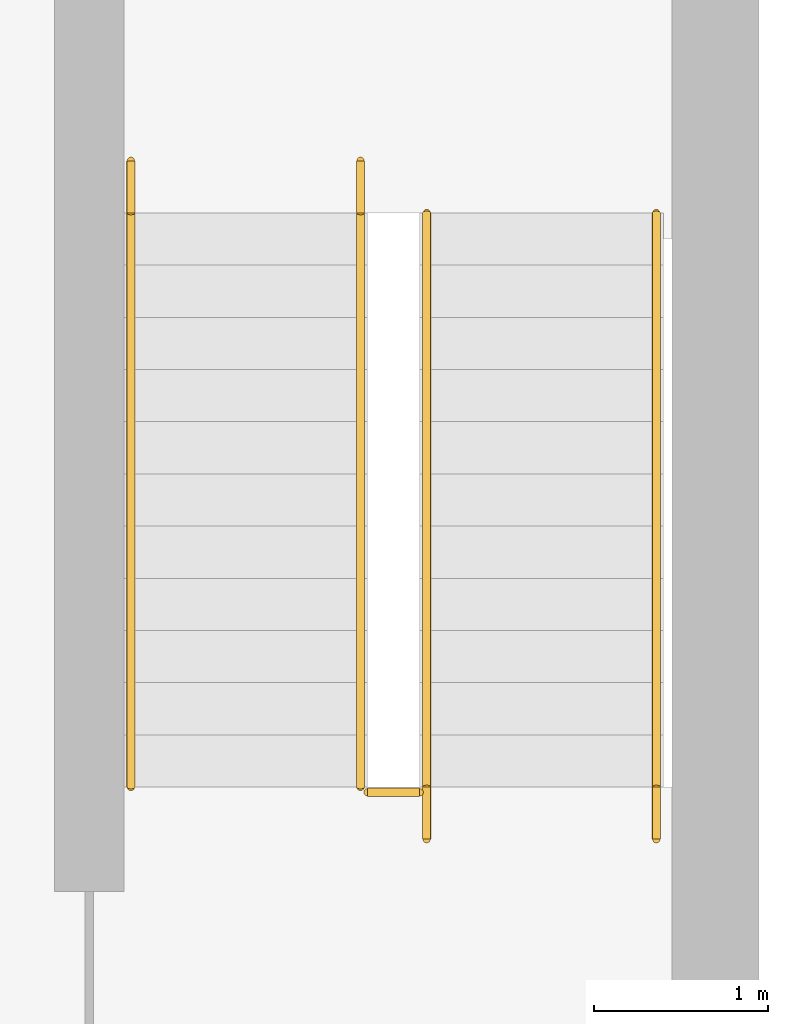
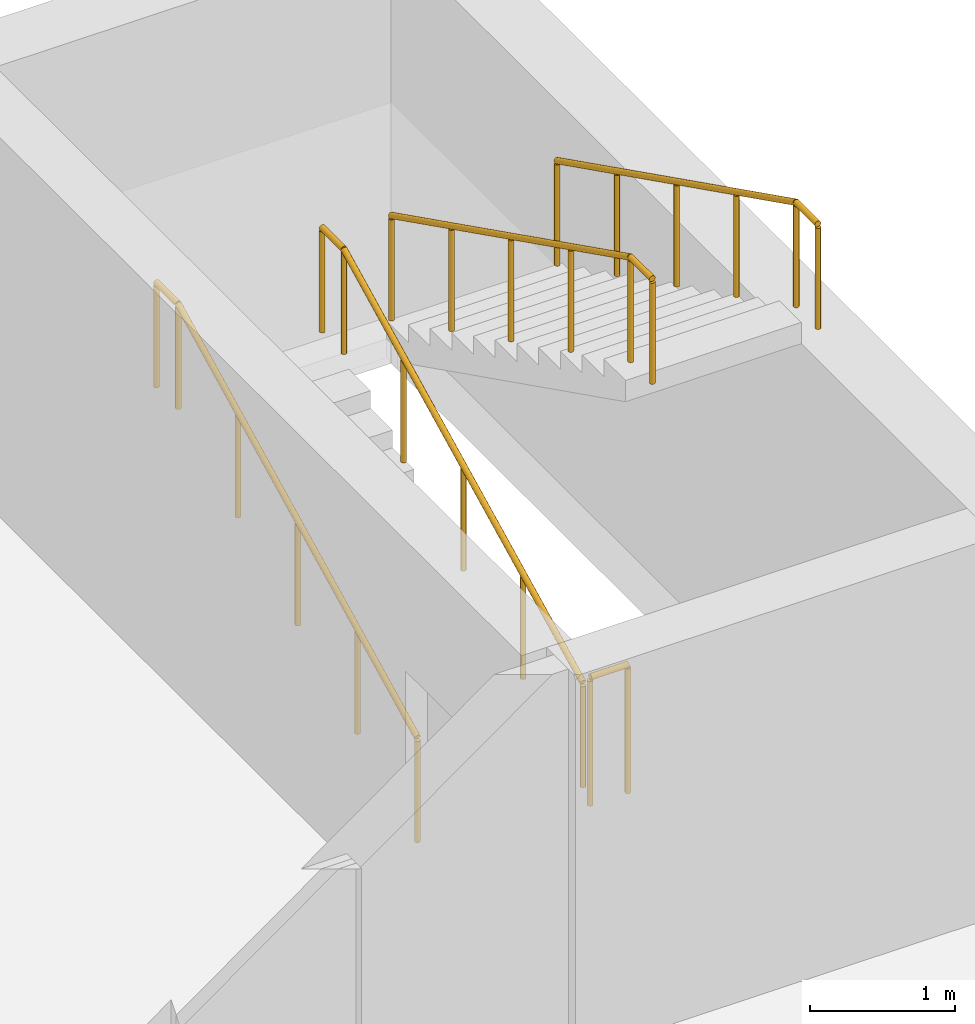
# One storey, part 12 of 12: 5 railings.
"""IFC4 building model written with IfcOpenShell, lengths in metres."""

from ifc_helpers import new_model, si_unit, direction, frame, origin, origin_2d, place, context, subcontext, project, spatial, circle, extrude, material, type_object, element, save


model = new_model("IFC4")

# Units and contexts
model_context = context("Model", 3, precision=1e-05, world=origin(), true_north=direction((0.0, 1.0)))
body_context = subcontext(model_context, "Body", "Model", "MODEL_VIEW")
ifc_project = project(units=[si_unit("LENGTHUNIT", "METRE"), si_unit("AREAUNIT", "SQUARE_METRE"), si_unit("VOLUMEUNIT", "CUBIC_METRE"), si_unit("PLANEANGLEUNIT", "RADIAN"), si_unit("MASSUNIT", "GRAM", prefix="KILO")], contexts=[model_context])

# Site, building, storey
site_placement = place(None, origin())
site = spatial("IfcSite", under=ifc_project, at=site_placement, CompositionType="ELEMENT")
building_placement = place(site_placement, origin())
building = spatial("IfcBuilding", under=site, at=building_placement, Name="Yavir Park General Hospital", CompositionType="ELEMENT")
storey_placement = place(building_placement, frame((0.0, 0.0, -11.39990234375)))
storey = spatial("IfcBuildingStorey", under=building, at=storey_placement, Name="B3", CompositionType="ELEMENT", Elevation=-11.39990234375)

# Railings
ifc_material_1 = material(Name="Steel balustrade with infill rods", Category="steel")
railing_type_1 = type_object("IfcRailingType", Name="Stair guard, steel balustrade 1100 mm", PredefinedType="GUARDRAIL", material=ifc_material_1)
railing_placement = place(storey_placement, frame((166.0, 27.570068359375, 0.0)))
element("IfcRailing", 1, at=railing_placement, inside=storey, type_object=railing_type_1, Name="Stair well guard BS5 B3", PredefinedType="GUARDRAIL", context=body_context, shape_type="SweptSolid", body=[
    extrude(circle(Radius=0.02392578125, at=origin_2d()), frame((0.0, 0.0, 1.076171875), z_axis=(1.0, 0.0, 0.0), x_axis=(0.0, 1.0, 0.0)), (0.0, 0.0, 1.0), 0.300048828125),
    extrude(circle(Radius=0.02099609375, at=origin_2d()), origin(), (0.0, 0.0, 1.0), 1.052001953125),
    extrude(circle(Radius=0.02099609375, at=origin_2d()), frame((0.300048828125, 0.0, 0.0)), (0.0, 0.0, 1.0), 1.052001953125),
])
ifc_material_2 = material(Name="Stainless steel tube 48 mm", Category="steel")
railing_type_2 = type_object("IfcRailingType", Name="Stair handrail, steel tube, 900 mm above the nosings", PredefinedType="HANDRAIL", material=ifc_material_2)
for number, where, name in (
    (2, (164.639892578125, 27.60009765625, 0.14990234375), "Handrail BS5 B3 1"),
    (3, (165.9599609375, 27.60009765625, 0.14990234375), "Handrail BS5 B3 2"),
):
    element("IfcRailing", number, at=place(storey_placement, frame(where)), inside=storey, type_object=railing_type_2, Name=name, PredefinedType="HANDRAIL", context=body_context, shape_type="SweptSolid", body=[
        extrude(circle(Radius=0.02392578125, at=origin_2d()), frame((0.0, 0.0, 0.8759765625), z_axis=(0.0, 0.894427191, 0.4472135955), x_axis=(-1.0, 0.0, 0.0)), (0.0, 0.0, 1.0), 3.689208984375),
        extrude(circle(Radius=0.02392578125, at=origin_2d()), frame((0.0, 3.2998046875, 2.52587890625), z_axis=(0.0, 1.0, 0.0), x_axis=(-1.0, 0.0, 0.0)), (0.0, 0.0, 1.0), 0.300048828125),
        extrude(circle(Radius=0.02099609375, at=origin_2d()), origin(), (0.0, 0.0, 1.0), 0.851806640625),
        extrude(circle(Radius=0.02099609375, at=origin_2d()), frame((0.0, 0.824951171875, 0.41259765625)), (0.0, 0.0, 1.0), 0.851806640625),
        extrude(circle(Radius=0.02099609375, at=origin_2d()), frame((0.0, 1.64990234375, 0.824951171875)), (0.0, 0.0, 1.0), 0.851806640625),
        extrude(circle(Radius=0.02099609375, at=origin_2d()), frame((0.0, 2.474853515625, 1.2373046875)), (0.0, 0.0, 1.0), 0.851806640625),
        extrude(circle(Radius=0.02099609375, at=origin_2d()), frame((0.0, 3.2998046875, 1.64990234375)), (0.0, 0.0, 1.0), 0.851806640625),
        extrude(circle(Radius=0.02099609375, at=origin_2d()), frame((0.0, 3.599853515625, 1.64990234375)), (0.0, 0.0, 1.0), 0.851806640625),
    ])
for number, where, name in (
    (4, (167.659912109375, 30.89990234375, 1.949951171875), "Handrail BS5 B3 3"),
    (5, (166.340087890625, 30.89990234375, 1.949951171875), "Handrail BS5 B3 4"),
):
    element("IfcRailing", number, at=place(storey_placement, frame(where)), inside=storey, type_object=railing_type_2, Name=name, PredefinedType="HANDRAIL", context=body_context, shape_type="SweptSolid", body=[
        extrude(circle(Radius=0.02392578125, at=origin_2d()), frame((0.0, 0.0, 0.8759765625), z_axis=(0.0, -0.894427191, 0.4472135955), x_axis=(1.0, 0.0, 0.0)), (0.0, 0.0, 1.0), 3.689208984375),
        extrude(circle(Radius=0.02392578125, at=origin_2d()), frame((0.0, -3.2998046875, 2.52587890625), z_axis=(0.0, -1.0, 0.0), x_axis=(1.0, 0.0, 0.0)), (0.0, 0.0, 1.0), 0.300048828125),
        extrude(circle(Radius=0.02099609375, at=origin_2d()), origin(), (0.0, 0.0, 1.0), 0.851806640625),
        extrude(circle(Radius=0.02099609375, at=origin_2d()), frame((0.0, -0.824951171875, 0.41259765625)), (0.0, 0.0, 1.0), 0.851806640625),
        extrude(circle(Radius=0.02099609375, at=origin_2d()), frame((0.0, -1.64990234375, 0.824951171875)), (0.0, 0.0, 1.0), 0.851806640625),
        extrude(circle(Radius=0.02099609375, at=origin_2d()), frame((0.0, -2.474853515625, 1.2373046875)), (0.0, 0.0, 1.0), 0.851806640625),
        extrude(circle(Radius=0.02099609375, at=origin_2d()), frame((0.0, -3.2998046875, 1.64990234375)), (0.0, 0.0, 1.0), 0.851806640625),
        extrude(circle(Radius=0.02099609375, at=origin_2d()), frame((0.0, -3.599853515625, 1.64990234375)), (0.0, 0.0, 1.0), 0.851806640625),
    ])

save(model, "model.ifc")
